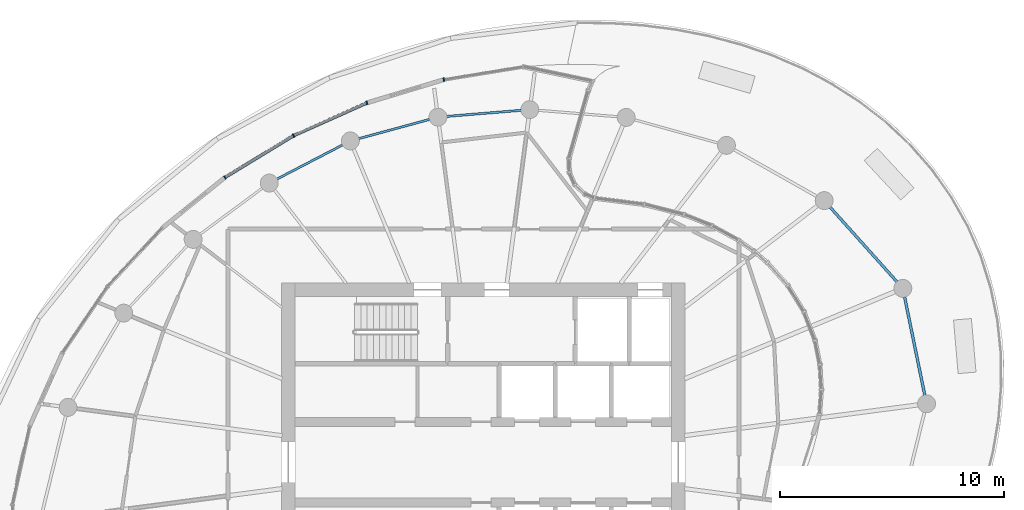
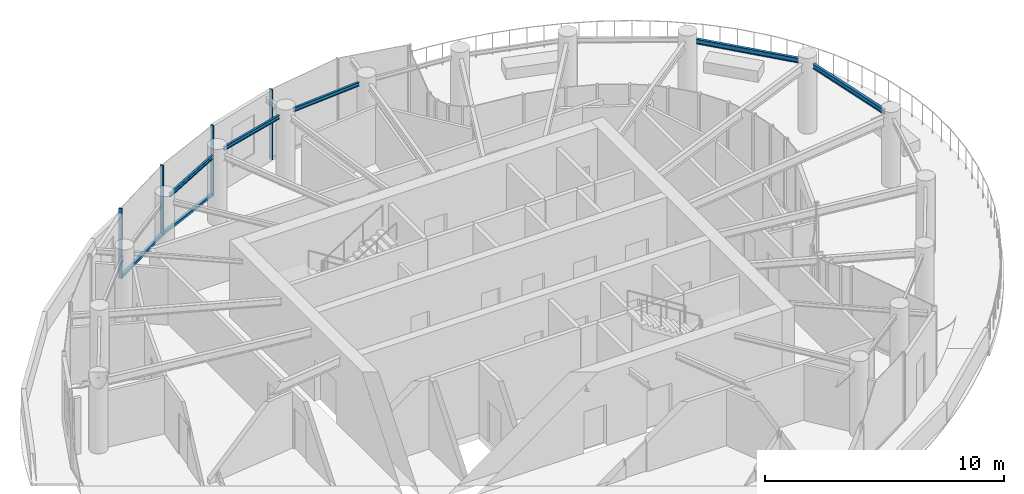
# One storey, part 5 of 19: 6 members, 5 beams, 1 element without a shape of its own.
"""IFC4 building model written with IfcOpenShell, lengths in metres."""

from ifc_helpers import new_model, si_unit, direction, frame, origin, origin_2d, place, context, subcontext, project, spatial, rectangle, i_section, extrude, source, transform, mapped, material, layer, layer_set, material_profile, profile_set, type_object, element, aggregate, save


model = new_model("IFC4")

# Units and contexts
model_context = context("Model", 3, precision=1e-05, world=origin(), true_north=direction((0.0, 1.0)))
body_context = subcontext(model_context, "Body", "Model", "MODEL_VIEW")
ifc_project = project(units=[si_unit("LENGTHUNIT", "METRE"), si_unit("AREAUNIT", "SQUARE_METRE"), si_unit("VOLUMEUNIT", "CUBIC_METRE"), si_unit("PLANEANGLEUNIT", "RADIAN"), si_unit("MASSUNIT", "GRAM", prefix="KILO")], contexts=[model_context])

# Site, building, storey
site_placement = place(None, origin())
site = spatial("IfcSite", under=ifc_project, at=site_placement, CompositionType="ELEMENT")
building_placement = place(site_placement, origin())
building = spatial("IfcBuilding", under=site, at=building_placement, Name="Spindrift Exchange Tower", CompositionType="ELEMENT")
storey_placement = place(building_placement, frame((0.0, 0.0, 234.5)))
storey = spatial("IfcBuildingStorey", under=building, at=storey_placement, Name="L57", CompositionType="ELEMENT", Elevation=234.5)

# Beams
ifc_material_1 = material(Name="Steel Grade 300", Category="steel")
ifc_material_profile_1 = material_profile(ifc_material_1, i_section(OverallWidth=0.1240234375, OverallDepth=0.248046875, WebThickness=0.0048828125, FlangeThickness=0.008056640625, FilletRadius=0.011962890625, at=origin_2d()), Name="250UB25.7")
ifc_profile_set_1 = profile_set([ifc_material_profile_1], Name="Steel Grade 300")
beam_type_1 = type_object("IfcBeamType", Name="Edge Beam 250UB25.7 Steel Grade 300", PredefinedType="SPANDREL", material=ifc_profile_set_1)
shared_shape_1 = source(origin(), body_context, "Body", "SweptSolid", [
    extrude(i_section(OverallWidth=0.1240234375, OverallDepth=0.248046875, WebThickness=0.0048828125, FlangeThickness=0.008056640625, FilletRadius=0.011962890625, at=origin_2d()), origin(), (0.0, 0.0, 1.0), 4.497802734375),
])
beam_1_placement = place(storey_placement, frame((71.700927734375, 50.975830078125, 3.4560546875), z_axis=(-0.201217935785, 0.979546498293, 0.0), x_axis=(-0.979546498293, -0.201217935785, 0.0)))
element("IfcBeam", 1, at=beam_1_placement, inside=storey, type_object=beam_type_1, Name="L57 edge beam E01", PredefinedType="SPANDREL", context=body_context, shape_type="MappedRepresentation", body=[
    mapped(shared_shape_1, transform((0.0, 0.0, 0.0), scale=1.0)),
])
shared_shape_2 = source(origin(), body_context, "Body", "SweptSolid", [
    extrude(i_section(OverallWidth=0.1240234375, OverallDepth=0.248046875, WebThickness=0.0048828125, FlangeThickness=0.008056640625, FilletRadius=0.011962890625, at=origin_2d()), origin(), (0.0, 0.0, 1.0), 4.499755859375),
])
beam_2_placement = place(storey_placement, frame((70.466064453125, 56.036865234375, 3.4560546875), z_axis=(-0.667419502646, 0.744681950558, 0.0), x_axis=(-0.744681950558, -0.667419502646, 0.0)))
element("IfcBeam", 2, at=beam_2_placement, inside=storey, type_object=beam_type_1, Name="L57 edge beam E02", PredefinedType="SPANDREL", context=body_context, shape_type="MappedRepresentation", body=[
    mapped(shared_shape_2, transform((0.0, 0.0, 0.0), scale=1.0)),
])
ifc_material_profile_2 = material_profile(ifc_material_1, i_section(OverallWidth=0.09912109375, OverallDepth=0.197998046875, WebThickness=0.00439453125, FlangeThickness=0.007080078125, FilletRadius=0.010986328125, at=origin_2d()), Name="200UB18.2")
ifc_profile_set_2 = profile_set([ifc_material_profile_2], Name="Steel Grade 300")
beam_type_2 = type_object("IfcBeamType", Name="Edge Beam 200UB18.2 Steel Grade 300", PredefinedType="SPANDREL", material=ifc_profile_set_2)
shared_shape_3 = source(origin(), body_context, "Body", "SweptSolid", [
    extrude(i_section(OverallWidth=0.09912109375, OverallDepth=0.197998046875, WebThickness=0.00439453125, FlangeThickness=0.007080078125, FilletRadius=0.010986328125, at=origin_2d()), origin(), (0.0, 0.0, 1.0), 3.351806640625),
])
beam_3_placement = place(storey_placement, frame((53.6923828125, 63.7001953125, 3.48095703125), z_axis=(-0.996672670999, -0.081508201334, 0.0), x_axis=(0.081508201334, -0.996672670999, 0.0)))
element("IfcBeam", 3, at=beam_3_placement, inside=storey, type_object=beam_type_2, Name="L57 edge beam E06", PredefinedType="SPANDREL", context=body_context, shape_type="MappedRepresentation", body=[
    mapped(shared_shape_3, transform((0.0, 0.0, 0.0), scale=1.0)),
])
shared_shape_4 = source(origin(), body_context, "Body", "SweptSolid", [
    extrude(i_section(OverallWidth=0.09912109375, OverallDepth=0.197998046875, WebThickness=0.00439453125, FlangeThickness=0.007080078125, FilletRadius=0.010986328125, at=origin_2d()), origin(), (0.0, 0.0, 1.0), 3.2919921875),
])
beam_4_placement = place(storey_placement, frame((49.6064453125, 63.29638671875, 3.48095703125), z_axis=(-0.965045644564, -0.262081864896, 0.0), x_axis=(0.262081864896, -0.965045644564, 0.0)))
element("IfcBeam", 4, at=beam_4_placement, inside=storey, type_object=beam_type_2, Name="L57 edge beam E07", PredefinedType="SPANDREL", context=body_context, shape_type="MappedRepresentation", body=[
    mapped(shared_shape_4, transform((0.0, 0.0, 0.0), scale=1.0)),
])
shared_shape_5 = source(origin(), body_context, "Body", "SweptSolid", [
    extrude(i_section(OverallWidth=0.09912109375, OverallDepth=0.197998046875, WebThickness=0.00439453125, FlangeThickness=0.007080078125, FilletRadius=0.010986328125, at=origin_2d()), origin(), (0.0, 0.0, 1.0), 3.31787109375),
])
beam_5_placement = place(storey_placement, frame((45.7255859375, 62.15869140625, 3.48095703125), z_axis=(-0.887327612278, -0.46113957593, 0.0), x_axis=(0.46113957593, -0.887327612278, 0.0)))
element("IfcBeam", 5, at=beam_5_placement, inside=storey, type_object=beam_type_2, Name="L57 edge beam E08", PredefinedType="SPANDREL", context=body_context, shape_type="MappedRepresentation", body=[
    mapped(shared_shape_5, transform((0.0, 0.0, 0.0), scale=1.0)),
])

# Curtain wall, members
ifc_material_2 = material(Name="Fritted laminated glass with bronze frame", Category="glass")
ifc_layer = layer(ifc_material_2, 0.159912109375)
ifc_layer_set = layer_set([ifc_layer], Name="ZONE 5 BRONZE FRITTED WALL")
curtain_wall_type = type_object("IfcCurtainWallType", Name="ZONE 5 BRONZE FRITTED WALL", PredefinedType="NOTDEFINED", material=ifc_layer_set)
curtain_wall_placement = place(storey_placement, origin())
curtain_wall = element("IfcCurtainWall", 6, at=curtain_wall_placement, inside=storey, type_object=curtain_wall_type, Name="L57 Zone 5 Bronze Fritted Wall run 1", PredefinedType="NOTDEFINED")
ifc_material_3 = material(Name="Bronze anodised aluminium", Category="aluminium")
ifc_material_profile_3 = material_profile(ifc_material_3, rectangle(XDim=0.06005859375, YDim=0.159912109375, at=origin_2d()), Name="ZONE 5 BRONZE FRITTED WALL MULLION 60X160")
ifc_profile_set_3 = profile_set([ifc_material_profile_3], Name="Bronze anodised aluminium")
member_type_1 = type_object("IfcMemberType", Name="ZONE 5 BRONZE FRITTED WALL MULLION 60X160", PredefinedType="MULLION", material=ifc_profile_set_3)
shared_shape_6 = source(origin(), body_context, "Body", "SweptSolid", [
    extrude(rectangle(XDim=0.06005859375, YDim=0.159912109375, at=origin_2d()), origin(), (0.0, 0.0, 1.0), 3.580078125),
])
member_1_placement = place(storey_placement, frame((50.236083984375, 65.068115234375, 0.0), z_axis=(0.0, 0.0, 1.0), x_axis=(-0.974300102857, -0.225253878043, 0.0)))
member_1 = element("IfcMember", 7, at=member_1_placement, type_object=member_type_1, Name="L57 mullion CW-5.2", PredefinedType="MULLION", context=body_context, shape_type="MappedRepresentation", body=[
    mapped(shared_shape_6, transform((0.0, 0.0, 0.0), scale=1.0)),
])
member_2_placement = place(storey_placement, frame((46.802490234375, 64.03271484375, 0.0), z_axis=(0.0, 0.0, 1.0), x_axis=(-0.937121644137, -0.34900289983, 0.0)))
member_2 = element("IfcMember", 8, at=member_2_placement, type_object=member_type_1, Name="L57 mullion CW-5.3", PredefinedType="MULLION", context=body_context, shape_type="MappedRepresentation", body=[
    mapped(shared_shape_6, transform((0.0, 0.0, 0.0), scale=1.0)),
])
member_3_placement = place(storey_placement, frame((43.528076171875, 62.56982421875, 0.0), z_axis=(0.0, 0.0, 1.0), x_axis=(-0.885293098749, -0.465033471168, 0.0)))
member_3 = element("IfcMember", 9, at=member_3_placement, type_object=member_type_1, Name="L57 mullion CW-5.4", PredefinedType="MULLION", context=body_context, shape_type="MappedRepresentation", body=[
    mapped(shared_shape_6, transform((0.0, 0.0, 0.0), scale=1.0)),
])
member_4_placement = place(storey_placement, frame((40.46533203125, 60.703857421875, 0.0), z_axis=(0.0, 0.0, 1.0), x_axis=(-0.8179370738, -0.575307694459, 0.0)))
member_4 = element("IfcMember", 10, at=member_4_placement, type_object=member_type_1, Name="L57 mullion CW-5.5", PredefinedType="MULLION", context=body_context, shape_type="MappedRepresentation", body=[
    mapped(shared_shape_6, transform((0.0, 0.0, 0.0), scale=1.0)),
])
ifc_material_profile_4 = material_profile(ifc_material_3, rectangle(XDim=0.139892578125, YDim=0.1201171875, at=origin_2d()), Name="ZONE 5 BRONZE FRITTED WALL TRANSOM 140X120")
ifc_profile_set_4 = profile_set([ifc_material_profile_4], Name="Bronze anodised aluminium")
member_type_2 = type_object("IfcMemberType", Name="ZONE 5 BRONZE FRITTED WALL TRANSOM 140X120", PredefinedType="USERDEFINED", material=ifc_profile_set_4)
shared_shape_7 = source(origin(), body_context, "Body", "SweptSolid", [
    extrude(rectangle(XDim=0.139892578125, YDim=0.1201171875, at=origin_2d()), origin(), (0.0, 0.0, 1.0), 3.5263671875),
])
member_5_placement = place(storey_placement, frame((46.775146484375, 64.020263671875, 0.06005859375), z_axis=(-0.913047659935, -0.407852878729, 0.0), x_axis=(0.407852878729, -0.913047659935, 0.0)))
member_5 = element("IfcMember", 11, at=member_5_placement, type_object=member_type_2, Name="L57 transom CW-5.3", ObjectType="TRANSOM", PredefinedType="USERDEFINED", context=body_context, shape_type="MappedRepresentation", body=[
    mapped(shared_shape_7, transform((0.0, 0.0, 0.0), scale=1.0)),
])
member_6_placement = place(storey_placement, frame((43.50244140625, 62.55419921875, 0.06005859375), z_axis=(-0.853991265707, -0.520287341856, 0.0), x_axis=(0.520287341856, -0.853991265707, 0.0)))
member_6 = element("IfcMember", 12, at=member_6_placement, type_object=member_type_2, Name="L57 transom CW-5.4", ObjectType="TRANSOM", PredefinedType="USERDEFINED", context=body_context, shape_type="MappedRepresentation", body=[
    mapped(shared_shape_7, transform((0.0, 0.0, 0.0), scale=1.0)),
])
aggregate(curtain_wall, [member_1, member_2, member_5, member_3, member_6, member_4])

save(model, "model.ifc")
